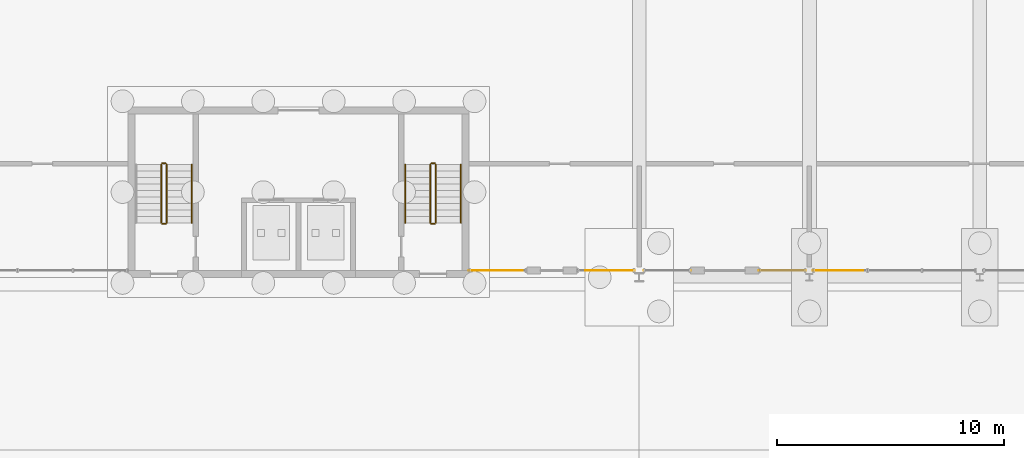
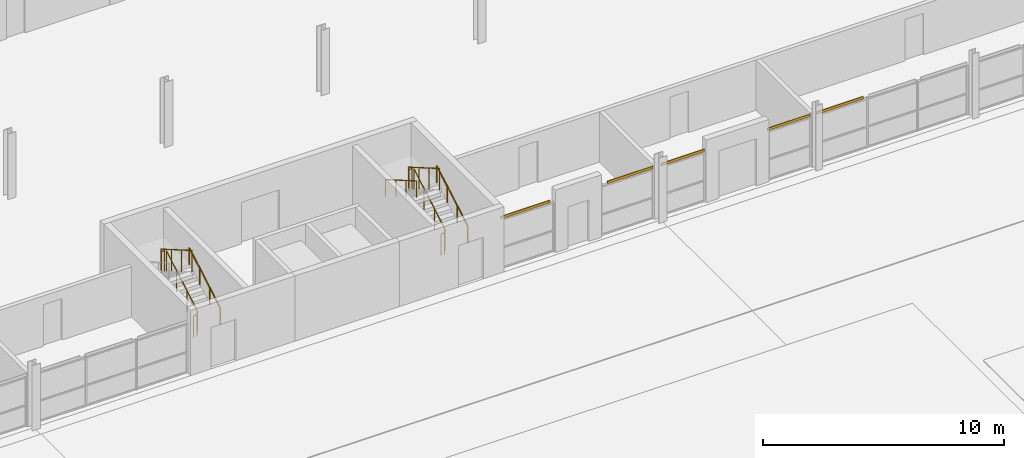
# One storey, part 114 of 130: 11 railings, 5 coverings.
"""IFC4 building model written with IfcOpenShell, lengths in metres."""

from ifc_helpers import new_model, si_unit, direction, frame, origin, origin_2d, place, context, subcontext, project, spatial, rectangle, circle, extrude, material, layer, layer_set, type_object, element, save


model = new_model("IFC4")

# Units and contexts
model_context = context("Model", 3, precision=1e-05, world=origin(), true_north=direction((0.0, 1.0)))
body_context = subcontext(model_context, "Body", "Model", "MODEL_VIEW")
ifc_project = project(units=[si_unit("LENGTHUNIT", "METRE"), si_unit("AREAUNIT", "SQUARE_METRE"), si_unit("VOLUMEUNIT", "CUBIC_METRE"), si_unit("PLANEANGLEUNIT", "RADIAN"), si_unit("MASSUNIT", "GRAM", prefix="KILO")], contexts=[model_context])

# Site, building, storey
site_placement = place(None, origin())
site = spatial("IfcSite", under=ifc_project, at=site_placement, CompositionType="ELEMENT")
building_placement = place(site_placement, origin())
building = spatial("IfcBuilding", under=site, at=building_placement, Name="Parallax Yard Mobility Hub", CompositionType="ELEMENT")
storey_placement = place(building_placement, origin())
storey = spatial("IfcBuildingStorey", under=building, at=storey_placement, Name="L00", CompositionType="ELEMENT", Elevation=0.0)

# Coverings
ifc_material_1 = material(Name="Insulated aluminium spandrel panel", Category="aluminium")
ifc_layer = layer(ifc_material_1, 0.028076171875)
ifc_layer_set = layer_set([ifc_layer], Name="Curtain wall spandrel closer, insulated aluminium 28")
covering_type = type_object("IfcCoveringType", Name="Curtain wall spandrel closer, insulated aluminium 28", PredefinedType="CLADDING", material=ifc_layer_set)
covering_1_placement = place(storey_placement, frame((83.6904296875, 112.800048828125, 2.5), z_axis=(0.0, 0.0, 1.0), x_axis=(1.0, 0.0, 0.0)))
element("IfcCovering", 1, at=covering_1_placement, inside=storey, type_object=covering_type, Name="Curtain wall CW09 level L00 bay 7 spandrel closer 1", ObjectType="SCREEN", PredefinedType="CLADDING", context=body_context, shape_type="SweptSolid", body=[
    extrude(rectangle(XDim=2.37109375, YDim=0.028076171875, at=origin_2d()), origin(), (0.0, 0.0, 1.0), 0.126953125),
])
covering_2_placement = place(storey_placement, frame((88.71337890625, 112.800048828125, 2.5), z_axis=(0.0, 0.0, 1.0), x_axis=(1.0, 0.0, 0.0)))
element("IfcCovering", 2, at=covering_2_placement, inside=storey, type_object=covering_type, Name="Curtain wall CW10 level L00 bay 7 spandrel closer 2", ObjectType="SCREEN", PredefinedType="CLADDING", context=body_context, shape_type="SweptSolid", body=[
    extrude(rectangle(XDim=2.178955078125, YDim=0.028076171875, at=origin_2d()), origin(), (0.0, 0.0, 1.0), 0.126953125),
])
for number, where, z_axis, x_axis, name in (
    (3, (91.234375, 112.800048828125, 2.5), (0.0, 0.0, 1.0), (1.0, 0.0, 0.0), "Curtain wall CW11 level L00 bay 8 spandrel closer 1"),
    (4, (96.30908203125, 112.800048828125, 2.5), (0.0, 0.0, 1.0), (1.0, 0.0, 0.0), "Curtain wall CW12 level L00 bay 8 spandrel closer 1"),
):
    element("IfcCovering", number, at=place(storey_placement, frame(where, z_axis=z_axis, x_axis=x_axis)), inside=storey, type_object=covering_type, Name=name, ObjectType="SCREEN", PredefinedType="CLADDING", context=body_context, shape_type="SweptSolid", body=[
        extrude(rectangle(XDim=2.07470703125, YDim=0.028076171875, at=origin_2d()), origin(), (0.0, 0.0, 1.0), 0.126953125),
    ])
covering_3_placement = place(storey_placement, frame((98.7646484375, 112.800048828125, 2.5), z_axis=(0.0, 0.0, 1.0), x_axis=(1.0, 0.0, 0.0)))
element("IfcCovering", 5, at=covering_3_placement, inside=storey, type_object=covering_type, Name="Curtain wall CW13 level L00 bay 9 spandrel closer 1", ObjectType="SCREEN", PredefinedType="CLADDING", context=body_context, shape_type="SweptSolid", body=[
    extrude(rectangle(XDim=2.222412109375, YDim=0.028076171875, at=origin_2d()), origin(), (0.0, 0.0, 1.0), 0.126953125),
])

# Railings
ifc_material_2 = material(Name="Steel ASTM A36", Category="steel")
railing_type_1 = type_object("IfcRailingType", Name="Stair guard 1100", PredefinedType="GUARDRAIL", material=ifc_material_2)
railing_1_placement = place(storey_placement, frame((81.050048828125, 114.89990234375, 0.1650390625)))
element("IfcRailing", 6, at=railing_1_placement, inside=storey, type_object=railing_type_1, Name="L00 ST3 stair guard 1", PredefinedType="GUARDRAIL", context=body_context, shape_type="SweptSolid", body=[
    extrude(circle(Radius=0.02392578125, at=origin_2d()), frame((0.0, 0.0, 1.076171875), z_axis=(0.0, 0.865461999751, 0.500974577186), x_axis=(-1.0, 0.0, 0.0)), (0.0, 0.0, 1.0), 2.9638671875),
    extrude(circle(Radius=0.02099609375, at=origin_2d()), origin(), (0.0, 0.0, 1.0), 1.052001953125),
    extrude(circle(Radius=0.02099609375, at=origin_2d()), frame((0.0, 0.85498046875, 0.494873046875)), (0.0, 0.0, 1.0), 1.052001953125),
    extrude(circle(Radius=0.02099609375, at=origin_2d()), frame((0.0, 1.710205078125, 0.989990234375)), (0.0, 0.0, 1.0), 1.052001953125),
    extrude(circle(Radius=0.02099609375, at=origin_2d()), frame((0.0, 2.565185546875, 1.48486328125)), (0.0, 0.0, 1.0), 1.052001953125),
])
railing_2_placement = place(storey_placement, frame((81.0, 117.514892578125, 1.64990234375)))
element("IfcRailing", 7, at=railing_2_placement, inside=storey, type_object=railing_type_1, Name="L00 ST3 stair guard 2", PredefinedType="GUARDRAIL", context=body_context, shape_type="SweptSolid", body=[
    extrude(circle(Radius=0.02392578125, at=origin_2d()), frame((0.0, 0.0, 1.076171875), z_axis=(-1.0, 0.0, 0.0), x_axis=(0.0, -1.0, 0.0)), (0.0, 0.0, 1.0), 0.14990234375),
    extrude(circle(Radius=0.02099609375, at=origin_2d()), origin(), (0.0, 0.0, 1.0), 1.052001953125),
    extrude(circle(Radius=0.02099609375, at=origin_2d()), frame((-0.14990234375, 0.0, 0.0)), (0.0, 0.0, 1.0), 1.052001953125),
])
railing_3_placement = place(storey_placement, frame((80.800048828125, 117.465087890625, 1.81494140625)))
element("IfcRailing", 8, at=railing_3_placement, inside=storey, type_object=railing_type_1, Name="L00 ST3 stair guard 3", PredefinedType="GUARDRAIL", context=body_context, shape_type="SweptSolid", body=[
    extrude(circle(Radius=0.02392578125, at=origin_2d()), frame((0.0, 0.0, 1.076171875), z_axis=(0.0, -0.865426285481, 0.501036270542), x_axis=(1.0, 0.0, 0.0)), (0.0, 0.0, 1.0), 2.964111328125),
    extrude(circle(Radius=0.02099609375, at=origin_2d()), origin(), (0.0, 0.0, 1.0), 1.052001953125),
    extrude(circle(Radius=0.02099609375, at=origin_2d()), frame((0.0, -0.85498046875, 0.4951171875)), (0.0, 0.0, 1.0), 1.052001953125),
    extrude(circle(Radius=0.02099609375, at=origin_2d()), frame((0.0, -1.710205078125, 0.989990234375)), (0.0, 0.0, 1.0), 1.052001953125),
    extrude(circle(Radius=0.02099609375, at=origin_2d()), frame((0.0, -2.565185546875, 1.485107421875)), (0.0, 0.0, 1.0), 1.052001953125),
])
railing_4_placement = place(storey_placement, frame((81.0, 114.85009765625, 0.0)))
element("IfcRailing", 9, at=railing_4_placement, inside=storey, type_object=railing_type_1, Name="L00 ST3 stair guard 4", PredefinedType="GUARDRAIL", context=body_context, shape_type="SweptSolid", body=[
    extrude(circle(Radius=0.02392578125, at=origin_2d()), frame((0.0, 0.0, 1.076171875), z_axis=(-1.0, 0.0, 0.0), x_axis=(0.0, -1.0, 0.0)), (0.0, 0.0, 1.0), 0.14990234375),
    extrude(circle(Radius=0.02099609375, at=origin_2d()), origin(), (0.0, 0.0, 1.0), 1.052001953125),
    extrude(circle(Radius=0.02099609375, at=origin_2d()), frame((-0.14990234375, 0.0, 0.0)), (0.0, 0.0, 1.0), 1.052001953125),
])
railing_5_placement = place(storey_placement, frame((69.199951171875, 114.89990234375, 0.1650390625)))
element("IfcRailing", 10, at=railing_5_placement, inside=storey, type_object=railing_type_1, Name="L00 ST4 stair guard 1", PredefinedType="GUARDRAIL", context=body_context, shape_type="SweptSolid", body=[
    extrude(circle(Radius=0.02392578125, at=origin_2d()), frame((0.0, 0.0, 1.076171875), z_axis=(0.0, 0.865461999751, 0.500974577186), x_axis=(-1.0, 0.0, 0.0)), (0.0, 0.0, 1.0), 2.9638671875),
    extrude(circle(Radius=0.02099609375, at=origin_2d()), origin(), (0.0, 0.0, 1.0), 1.052001953125),
    extrude(circle(Radius=0.02099609375, at=origin_2d()), frame((0.0, 0.85498046875, 0.494873046875)), (0.0, 0.0, 1.0), 1.052001953125),
    extrude(circle(Radius=0.02099609375, at=origin_2d()), frame((0.0, 1.710205078125, 0.989990234375)), (0.0, 0.0, 1.0), 1.052001953125),
    extrude(circle(Radius=0.02099609375, at=origin_2d()), frame((0.0, 2.565185546875, 1.48486328125)), (0.0, 0.0, 1.0), 1.052001953125),
])
railing_6_placement = place(storey_placement, frame((69.14990234375, 117.514892578125, 1.64990234375)))
element("IfcRailing", 11, at=railing_6_placement, inside=storey, type_object=railing_type_1, Name="L00 ST4 stair guard 2", PredefinedType="GUARDRAIL", context=body_context, shape_type="SweptSolid", body=[
    extrude(circle(Radius=0.02392578125, at=origin_2d()), frame((0.0, 0.0, 1.076171875), z_axis=(-1.0, 0.0, 0.0), x_axis=(0.0, -1.0, 0.0)), (0.0, 0.0, 1.0), 0.14990234375),
    extrude(circle(Radius=0.02099609375, at=origin_2d()), origin(), (0.0, 0.0, 1.0), 1.052001953125),
    extrude(circle(Radius=0.02099609375, at=origin_2d()), frame((-0.14990234375, 0.0, 0.0)), (0.0, 0.0, 1.0), 1.052001953125),
])
railing_7_placement = place(storey_placement, frame((68.949951171875, 117.465087890625, 1.81494140625)))
element("IfcRailing", 12, at=railing_7_placement, inside=storey, type_object=railing_type_1, Name="L00 ST4 stair guard 3", PredefinedType="GUARDRAIL", context=body_context, shape_type="SweptSolid", body=[
    extrude(circle(Radius=0.02392578125, at=origin_2d()), frame((0.0, 0.0, 1.076171875), z_axis=(0.0, -0.865426285481, 0.501036270542), x_axis=(1.0, 0.0, 0.0)), (0.0, 0.0, 1.0), 2.964111328125),
    extrude(circle(Radius=0.02099609375, at=origin_2d()), origin(), (0.0, 0.0, 1.0), 1.052001953125),
    extrude(circle(Radius=0.02099609375, at=origin_2d()), frame((0.0, -0.85498046875, 0.4951171875)), (0.0, 0.0, 1.0), 1.052001953125),
    extrude(circle(Radius=0.02099609375, at=origin_2d()), frame((0.0, -1.710205078125, 0.989990234375)), (0.0, 0.0, 1.0), 1.052001953125),
    extrude(circle(Radius=0.02099609375, at=origin_2d()), frame((0.0, -2.565185546875, 1.485107421875)), (0.0, 0.0, 1.0), 1.052001953125),
])
railing_8_placement = place(storey_placement, frame((69.14990234375, 114.85009765625, 0.0)))
element("IfcRailing", 13, at=railing_8_placement, inside=storey, type_object=railing_type_1, Name="L00 ST4 stair guard 4", PredefinedType="GUARDRAIL", context=body_context, shape_type="SweptSolid", body=[
    extrude(circle(Radius=0.02392578125, at=origin_2d()), frame((0.0, 0.0, 1.076171875), z_axis=(-1.0, 0.0, 0.0), x_axis=(0.0, -1.0, 0.0)), (0.0, 0.0, 1.0), 0.14990234375),
    extrude(circle(Radius=0.02099609375, at=origin_2d()), origin(), (0.0, 0.0, 1.0), 1.052001953125),
    extrude(circle(Radius=0.02099609375, at=origin_2d()), frame((-0.14990234375, 0.0, 0.0)), (0.0, 0.0, 1.0), 1.052001953125),
])
railing_type_2 = type_object("IfcRailingType", Name="Stair handrail", PredefinedType="HANDRAIL", material=ifc_material_2)
railing_9_placement = place(storey_placement, frame((82.14990234375, 114.89990234375, 0.1650390625)))
element("IfcRailing", 14, at=railing_9_placement, inside=storey, type_object=railing_type_2, Name="L00 ST3 stair handrail 1", PredefinedType="HANDRAIL", context=body_context, shape_type="SweptSolid", body=[
    extrude(circle(Radius=0.02392578125, at=origin_2d()), frame((0.0, 0.0, 0.8310546875), z_axis=(0.0, 0.865461999751, 0.500974577186), x_axis=(-1.0, 0.0, 0.0)), (0.0, 0.0, 1.0), 2.9638671875),
    extrude(circle(Radius=0.02099609375, at=origin_2d()), origin(), (0.0, 0.0, 1.0), 0.806884765625),
    extrude(circle(Radius=0.02099609375, at=origin_2d()), frame((0.0, 0.85498046875, 0.494873046875)), (0.0, 0.0, 1.0), 0.806884765625),
    extrude(circle(Radius=0.02099609375, at=origin_2d()), frame((0.0, 1.710205078125, 0.989990234375)), (0.0, 0.0, 1.0), 0.806884765625),
    extrude(circle(Radius=0.02099609375, at=origin_2d()), frame((0.0, 2.565185546875, 1.48486328125)), (0.0, 0.0, 1.0), 0.806884765625),
])
railing_10_placement = place(storey_placement, frame((79.699951171875, 117.465087890625, 1.81494140625)))
element("IfcRailing", 15, at=railing_10_placement, inside=storey, type_object=railing_type_2, Name="L00 ST3 stair handrail 2", PredefinedType="HANDRAIL", context=body_context, shape_type="SweptSolid", body=[
    extrude(circle(Radius=0.02392578125, at=origin_2d()), frame((0.0, 0.0, 0.8310546875), z_axis=(0.0, -0.865426285481, 0.501036270542), x_axis=(1.0, 0.0, 0.0)), (0.0, 0.0, 1.0), 2.964111328125),
    extrude(circle(Radius=0.02099609375, at=origin_2d()), origin(), (0.0, 0.0, 1.0), 0.806884765625),
    extrude(circle(Radius=0.02099609375, at=origin_2d()), frame((0.0, -0.85498046875, 0.4951171875)), (0.0, 0.0, 1.0), 0.806884765625),
    extrude(circle(Radius=0.02099609375, at=origin_2d()), frame((0.0, -1.710205078125, 0.989990234375)), (0.0, 0.0, 1.0), 0.806884765625),
    extrude(circle(Radius=0.02099609375, at=origin_2d()), frame((0.0, -2.565185546875, 1.485107421875)), (0.0, 0.0, 1.0), 0.806884765625),
])
railing_11_placement = place(storey_placement, frame((70.300048828125, 114.89990234375, 0.1650390625)))
element("IfcRailing", 16, at=railing_11_placement, inside=storey, type_object=railing_type_2, Name="L00 ST4 stair handrail 1", PredefinedType="HANDRAIL", context=body_context, shape_type="SweptSolid", body=[
    extrude(circle(Radius=0.02392578125, at=origin_2d()), frame((0.0, 0.0, 0.8310546875), z_axis=(0.0, 0.865461999751, 0.500974577186), x_axis=(-1.0, 0.0, 0.0)), (0.0, 0.0, 1.0), 2.9638671875),
    extrude(circle(Radius=0.02099609375, at=origin_2d()), origin(), (0.0, 0.0, 1.0), 0.806884765625),
    extrude(circle(Radius=0.02099609375, at=origin_2d()), frame((0.0, 0.85498046875, 0.494873046875)), (0.0, 0.0, 1.0), 0.806884765625),
    extrude(circle(Radius=0.02099609375, at=origin_2d()), frame((0.0, 1.710205078125, 0.989990234375)), (0.0, 0.0, 1.0), 0.806884765625),
    extrude(circle(Radius=0.02099609375, at=origin_2d()), frame((0.0, 2.565185546875, 1.48486328125)), (0.0, 0.0, 1.0), 0.806884765625),
])

save(model, "model.ifc")
